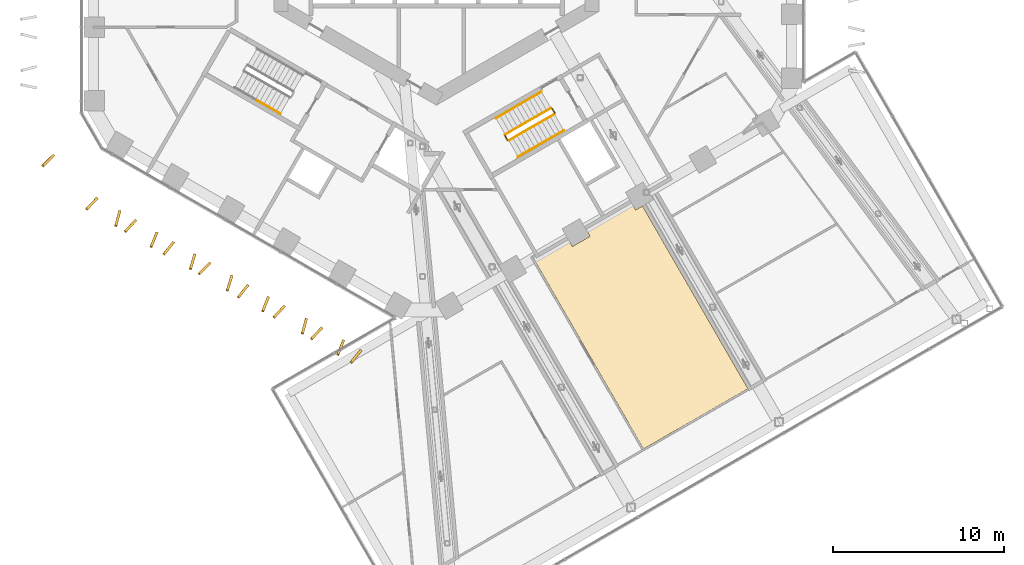
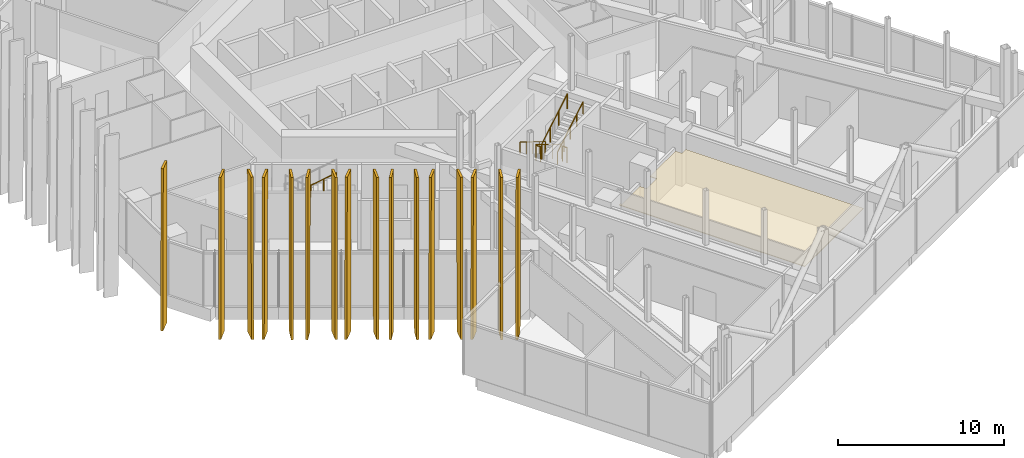
# One storey, part 26 of 29: 16 shading devices, 9 railings, 1 covering.
"""IFC4 building model written with IfcOpenShell, lengths in metres."""

import ifcopenshell
import ifcopenshell.guid

model = None  # the IFC model being written
_history = None  # IfcOwnerHistory: only IFC2X3 demands one
_inside = {}  # id of a spatial element -> (the spatial element, [elements in it])
_under = {}  # id of a project, library or spatial element -> (it, [spatial elements below it])
_declared = {}  # id of a project -> (the project, [libraries it declares])
_typed = {}  # id of a type object -> (the type object, [elements of that type])
_made_of = {}  # id of a material, layer set ... -> (it, [elements and type objects made of it])


def new_model(schema):
    """Start an empty IFC model of exactly this schema.

    Asked for "IFC4X3", IfcOpenShell would pick the latest addendum, in which some entities
    have other attributes; the version numbers below select the first issue.
    IFC2X3 requires an IfcOwnerHistory on every rooted entity: one is made here for all.
    """
    global model, _history
    if schema == "IFC4X3":
        model = ifcopenshell.file(schema_version=(4, 3, 0, 0))
    else:
        model = ifcopenshell.file(schema=schema)
    _inside.clear()
    _under.clear()
    _declared.clear()
    _typed.clear()
    _made_of.clear()
    _history = None
    if model.schema == "IFC2X3":
        org = make("IfcOrganization", Name="unknown")
        user = make(
            "IfcPersonAndOrganization",
            ThePerson=make("IfcPerson", FamilyName="unknown"),
            TheOrganization=org,
        )
        app = make(
            "IfcApplication",
            ApplicationDeveloper=org,
            Version="unknown",
            ApplicationFullName="unknown",
            ApplicationIdentifier="unknown",
        )
        _history = make(
            "IfcOwnerHistory",
            OwningUser=user,
            OwningApplication=app,
            ChangeAction="ADDED",
            CreationDate=0,
        )
    return model


def make(cls, **values):
    """One entity of the class cls with the attributes given. An attribute that is None is left unset."""
    return model.create_entity(
        cls, **{name: value for name, value in values.items() if value is not None}
    )


def rooted(cls, **values):
    """An entity with a GlobalId (a new one), such as an element, a storey or a relation."""
    return make(cls, GlobalId=ifcopenshell.guid.new(), OwnerHistory=_history, **values)


def si_unit(unit_type, name, prefix=None):
    """IfcSIUnit, for example si_unit("LENGTHUNIT", "METRE", prefix="MILLI")."""
    return make("IfcSIUnit", UnitType=unit_type, Prefix=prefix, Name=name)


def assignment(units):
    """IfcUnitAssignment: the units of a project."""
    return None if units is None else make("IfcUnitAssignment", Units=units)


def point(xyz):
    """IfcCartesianPoint."""
    return None if xyz is None else make("IfcCartesianPoint", Coordinates=xyz)


def direction(xyz):
    """IfcDirection."""
    return None if xyz is None else make("IfcDirection", DirectionRatios=xyz)


def frame(location, z_axis=None, x_axis=None):
    """IfcAxis2Placement3D, a coordinate frame: its origin and axes. An axis left out is left unset."""
    return make(
        "IfcAxis2Placement3D",
        Location=point(location),
        Axis=direction(z_axis),
        RefDirection=direction(x_axis),
    )


def frame_2d(location, x_axis=None):
    """IfcAxis2Placement2D, a coordinate frame in the plane: its origin and x axis."""
    return make(
        "IfcAxis2Placement2D", Location=point(location), RefDirection=direction(x_axis)
    )


def origin():
    """The frame at (0, 0, 0) with its axes left unset."""
    return frame((0.0, 0.0, 0.0))


def origin_2d():
    """The frame at (0, 0) in the plane with its x axis left unset."""
    return frame_2d((0.0, 0.0))


def place(relative_to, where):
    """IfcLocalPlacement: puts the frame where relative to a parent placement (None: the world)."""
    return make(
        "IfcLocalPlacement", PlacementRelTo=relative_to, RelativePlacement=where
    )


def context(
    kind, dimensions, precision=None, world=None, true_north=None, identifier=None
):
    """IfcGeometricRepresentationContext, for example the 3D "Model" context."""
    return make(
        "IfcGeometricRepresentationContext",
        ContextIdentifier=identifier,
        ContextType=kind,
        CoordinateSpaceDimension=dimensions,
        Precision=precision,
        WorldCoordinateSystem=world,
        TrueNorth=true_north,
    )


def subcontext(parent, identifier, kind, view, scale=None):
    """IfcGeometricRepresentationSubContext, for example "Body" below "Model"."""
    return make(
        "IfcGeometricRepresentationSubContext",
        ContextIdentifier=identifier,
        ContextType=kind,
        ParentContext=parent,
        TargetScale=scale,
        TargetView=view,
    )


def project(units=None, contexts=None):
    """IfcProject with its units and contexts."""
    return rooted(
        "IfcProject",
        Name="project",
        RepresentationContexts=contexts,
        UnitsInContext=assignment(units),
    )


def spatial(cls, under=None, at=None, **own):
    """A site, building, storey or space (cls), placed at a placement, below another one or the project."""
    s = rooted(cls, ObjectPlacement=at, **own)
    if under is not None:
        _under.setdefault(under.id(), (under, []))[1].append(s)
    return s


def polyline(points):
    """IfcPolyline through the points."""
    return make("IfcPolyline", Points=[point(p) for p in points])


def profile(cls, at=None, kind="AREA", **sizes):
    """A parametric profile (cls). Its sizes go by their IFC names, for example OverallWidth=200.0."""
    return make(cls, ProfileType=kind, Position=at, **sizes)


def circle(**sizes):
    """IfcCircleProfileDef."""
    return profile("IfcCircleProfileDef", **sizes)


def outline(outer, holes=None, kind="AREA"):
    """IfcArbitraryClosedProfileDef: a profile drawn as a closed curve; with holes, ...WithVoids."""
    if holes is None:
        return make("IfcArbitraryClosedProfileDef", ProfileType=kind, OuterCurve=outer)
    return make(
        "IfcArbitraryProfileDefWithVoids",
        ProfileType=kind,
        OuterCurve=outer,
        InnerCurves=holes,
    )


def extrude(swept, where, along, depth):
    """IfcExtrudedAreaSolid: the profile swept, set in the frame where, extruded along a direction by depth."""
    return make(
        "IfcExtrudedAreaSolid",
        SweptArea=swept,
        Position=where,
        ExtrudedDirection=direction(along),
        Depth=depth,
    )


def shape(context_of_items, identifier, shape_type, items):
    """IfcShapeRepresentation: the items that make up one representation, for example the "Body"."""
    return make(
        "IfcShapeRepresentation",
        ContextOfItems=context_of_items,
        RepresentationIdentifier=identifier,
        RepresentationType=shape_type,
        Items=items,
    )


def material(Name=None, Category=None):
    """IfcMaterial."""
    return make("IfcMaterial", Name=Name, Category=Category)


def layer(
    of_material, thickness, ventilated=None, Name=None, Category=None, Priority=None
):
    """IfcMaterialLayer: one layer of a wall or slab, of a material (None: an air gap)."""
    return make(
        "IfcMaterialLayer",
        Material=of_material,
        LayerThickness=thickness,
        IsVentilated=ventilated,
        Name=Name,
        Category=Category,
        Priority=Priority,
    )


def layer_set(layers, Name=None):
    """IfcMaterialLayerSet."""
    return make("IfcMaterialLayerSet", MaterialLayers=layers, LayerSetName=Name)


def made_of(thing, what):
    """Note that an element or type object is made of a material, layer set ...; save() writes the relation."""
    if what is not None:
        _made_of.setdefault(what.id(), (what, []))[1].append(thing)
    return thing


def type_object(cls, material=None, **own):
    """A type object (cls), such as IfcWallType, which elements share."""
    return made_of(rooted(cls, **own), material)


def element(
    cls,
    number,
    at=None,
    inside=None,
    cuts=None,
    type_object=None,
    material=None,
    context=None,
    identifier="Body",
    shape_type=None,
    held_by="IfcProductDefinitionShape",
    body=None,
    shapes=None,
    **own,
):
    """One element of the class cls, such as IfcWall. Its Tag is "e" and its number.

    at: its placement. inside: the storey or other place that contains it. cuts: it is an
    opening in that element (IfcRelVoidsElement). A single representation is given by context,
    identifier, shape_type and body (its items); several are given by shapes. held_by: the class
    of the entity that holds the representations. save() writes the other relations.
    """
    e = rooted(cls, Tag="e%d" % number, ObjectPlacement=at, **own)
    if body is not None:
        shapes = [shape(context, identifier, shape_type, body)]
    if shapes is not None:
        e.Representation = make(held_by, Representations=shapes)
    if inside is not None:
        _inside.setdefault(inside.id(), (inside, []))[1].append(e)
    if cuts is not None:
        rooted(
            "IfcRelVoidsElement", RelatingBuildingElement=cuts, RelatedOpeningElement=e
        )
    if type_object is not None:
        _typed.setdefault(type_object.id(), (type_object, []))[1].append(e)
    return made_of(e, material)


def aggregate(whole, parts):
    """IfcRelAggregates: a whole, such as a stair, and the parts it consists of."""
    return rooted("IfcRelAggregates", RelatingObject=whole, RelatedObjects=parts)


def save(model, path):
    """Write the relations noted so far, then the file.

    IfcRelAggregates (storeys below a building ...), IfcRelContainedInSpatialStructure (elements
    in a storey), IfcRelDefinesByType, IfcRelAssociatesMaterial and IfcRelDeclares: one each for
    every whole, place, type object, material and project.
    """
    for whole, parts in _under.values():
        aggregate(whole, parts)
    for where, things in _inside.values():
        rooted(
            "IfcRelContainedInSpatialStructure",
            RelatedElements=things,
            RelatingStructure=where,
        )
    for kind, things in _typed.values():
        rooted("IfcRelDefinesByType", RelatedObjects=things, RelatingType=kind)
    for what, things in _made_of.values():
        rooted("IfcRelAssociatesMaterial", RelatedObjects=things, RelatingMaterial=what)
    for by, libraries in _declared.values():
        rooted("IfcRelDeclares", RelatingContext=by, RelatedDefinitions=libraries)
    model.write(path)


model = new_model("IFC4")

# Units and contexts
model_context = context("Model", 3, precision=1e-05, world=origin(), true_north=direction((0.0, 1.0)))
body_context = subcontext(model_context, "Body", "Model", "MODEL_VIEW")
ifc_project = project(units=[si_unit("LENGTHUNIT", "METRE"), si_unit("AREAUNIT", "SQUARE_METRE"), si_unit("VOLUMEUNIT", "CUBIC_METRE"), si_unit("PLANEANGLEUNIT", "RADIAN"), si_unit("MASSUNIT", "GRAM", prefix="KILO")], contexts=[model_context])

# Site, building, storey
site_placement = place(None, origin())
site = spatial("IfcSite", under=ifc_project, at=site_placement, CompositionType="ELEMENT")
building_placement = place(site_placement, origin())
building = spatial("IfcBuilding", under=site, at=building_placement, Name="Ayvan Gate Tower", CompositionType="ELEMENT")
storey_placement = place(building_placement, frame((0.0, 0.0, 66.300048828125)))
storey = spatial("IfcBuildingStorey", under=building, at=storey_placement, Name="L17", CompositionType="ELEMENT", Elevation=66.300048828125)

# Shading devices
ifc_material_1 = material(Name="Bronze anodised aluminium", Category="aluminium")
ifc_layer_1 = layer(ifc_material_1, 0.14990234375)
ifc_layer_set_1 = layer_set([ifc_layer_1], Name="Bronze anodised aluminium")
shading_device_type = type_object("IfcShadingDeviceType", Name="Bronze fin 900 x 150", PredefinedType="USERDEFINED", material=ifc_layer_set_1)
shading_device_1_placement = place(storey_placement, frame((-22.479736328125, -13.865478515625, 0.0), z_axis=(-0.706224631537, 0.707987819594, 0.000130830126), x_axis=(-0.707987825654, -0.70622463758, -1.2564e-08)))
element("IfcShadingDevice", 1, at=shading_device_1_placement, inside=storey, type_object=shading_device_type, Name="Bronze fin FG05.13.115", ObjectType="FIN", PredefinedType="USERDEFINED", context=body_context, shape_type="SweptSolid", body=[
    extrude(outline(polyline([(0.0, 0.0), (0.8999391983835461, -1.3552527156068805e-20), (0.8312288205779301, 11.879882924614758), (-0.06888279593002522, 11.87988290199879), (0.0, 0.0)])), origin(), (0.0, 0.0, -1.0), 0.14990234375),
])
shading_device_2_placement = place(storey_placement, frame((-19.9365234375, -16.3779296875, 0.0), z_axis=(-0.72715604465, 0.686472192842, 0.000123222073), x_axis=(-0.686472198054, -0.72715605017, 0.0)))
element("IfcShadingDevice", 2, at=shading_device_2_placement, inside=storey, type_object=shading_device_type, Name="Bronze fin FG05.14.116", ObjectType="FIN", PredefinedType="USERDEFINED", context=body_context, shape_type="SweptSolid", body=[
    extrude(outline(polyline([(0.0, 0.0), (0.9001383065870558, -6.776263578034403e-21), (0.8312711529496368, 11.879882902690168), (-0.06886715363741905, 11.879882902690168), (0.0, 0.0)])), origin(), (0.0, 0.0, -1.0), 0.14990234375),
])
shading_device_3_placement = place(storey_placement, frame((-18.6171875, -17.17822265625, 0.0), z_axis=(-0.965851109905, 0.259097699427, 0.00012508757), x_axis=(-0.259097701454, -0.965851117461, 0.0)))
element("IfcShadingDevice", 3, at=shading_device_3_placement, inside=storey, type_object=shading_device_type, Name="Bronze fin FG05.14.117", ObjectType="FIN", PredefinedType="USERDEFINED", context=body_context, shape_type="SweptSolid", body=[
    extrude(outline(polyline([(0.0, 0.0), (0.8998701862917041, 0.0), (0.8309701933115091, 11.879882905441672), (-0.06889999298019503, 11.879882905441672), (0.0, 0.0)])), origin(), (0.0, 0.0, -1.0), 0.14990234375),
])
shading_device_4_placement = place(storey_placement, frame((-17.6845703125, -17.680419921875, 0.0), z_axis=(-0.734231245897, 0.678899449014, 0.000125210359), x_axis=(-0.678899454335, -0.734231251652, 0.0)))
element("IfcShadingDevice", 4, at=shading_device_4_placement, inside=storey, type_object=shading_device_type, Name="Bronze fin FG05.14.118", ObjectType="FIN", PredefinedType="USERDEFINED", context=body_context, shape_type="SweptSolid", body=[
    extrude(outline(polyline([(0.0, 0.0), (0.900109700298984, 0.0), (0.8312343982640273, 11.879882905624228), (-0.06887530203495658, 11.879882905624228), (0.0, 0.0)])), origin(), (0.0, 0.0, -1.0), 0.14990234375),
])
shading_device_5_placement = place(storey_placement, frame((-16.445068359375, -18.435791015625, 0.0), z_axis=(-0.924840942745, 0.380354063282, 0.000131025035), x_axis=(-0.380354066547, -0.924840950684, 0.0)))
element("IfcShadingDevice", 5, at=shading_device_5_placement, inside=storey, type_object=shading_device_type, Name="Bronze fin FG05.14.119", ObjectType="FIN", PredefinedType="USERDEFINED", context=body_context, shape_type="SweptSolid", body=[
    extrude(outline(polyline([(0.0, 0.0), (0.8999119145944693, 0.0), (0.8311646062946272, 11.879882914474301), (-0.0687473082998421, 11.879882914474301), (0.0, 0.0)])), origin(), (0.0, 0.0, -1.0), 0.14990234375),
])
shading_device_6_placement = place(storey_placement, frame((-15.470703125, -18.971923828125, 0.0), z_axis=(-0.779331507667, 0.626611828302, 0.000133378123), x_axis=(-0.626611833875, -0.779331514599, 0.0)))
element("IfcShadingDevice", 6, at=shading_device_6_placement, inside=storey, type_object=shading_device_type, Name="Bronze fin FG05.14.120", ObjectType="FIN", PredefinedType="USERDEFINED", context=body_context, shape_type="SweptSolid", body=[
    extrude(outline(polyline([(0.0, 0.0), (0.9000226508045297, 6.776263578034403e-21), (0.8310824747989813, 11.879882918169919), (-0.06894017600554822, 11.879882918169919), (0.0, 0.0)])), origin(), (0.0, 0.0, -1.0), 0.14990234375),
])
shading_device_7_placement = place(storey_placement, frame((-14.228271484375, -19.713623046875, 0.0), z_axis=(-0.958376989923, 0.2855057407, 0.000131197516), x_axis=(-0.285505743155, -0.958376998172, 1.7055e-08)))
element("IfcShadingDevice", 7, at=shading_device_7_placement, inside=storey, type_object=shading_device_type, Name="Bronze fin FG05.14.121", ObjectType="FIN", PredefinedType="USERDEFINED", context=body_context, shape_type="SweptSolid", body=[
    extrude(outline(polyline([(0.0, 0.0), (0.8999750918802142, 0.0), (0.8312744816398324, 11.879882900565903), (-0.06877031379095684, 11.879882931264524), (0.0, 0.0)])), origin(), (0.0, 0.0, -1.0), 0.14990234375),
])
shading_device_8_placement = place(storey_placement, frame((-13.33349609375, -20.183837890625, 0.0), z_axis=(-0.707242404988, 0.706971119064, 0.000131896473), x_axis=(-0.706971125213, -0.70724241114, 0.0)))
element("IfcShadingDevice", 8, at=shading_device_8_placement, inside=storey, type_object=shading_device_type, Name="Bronze fin FG05.14.122", ObjectType="FIN", PredefinedType="USERDEFINED", context=body_context, shape_type="SweptSolid", body=[
    extrude(outline(polyline([(0.0, 0.0), (0.8999384077507213, -6.776263578034403e-21), (0.831057943952932, 11.87988291583526), (-0.06888046379778931, 11.87988291583526), (0.0, 0.0)])), origin(), (0.0, 0.0, -1.0), 0.14990234375),
])
shading_device_9_placement = place(storey_placement, frame((-12.059814453125, -20.966064453125, 0.0), z_axis=(-0.956068902119, 0.293142011561, 0.000124332896), x_axis=(-0.293142013828, -0.956068909508, -1.6124e-08)))
element("IfcShadingDevice", 9, at=shading_device_9_placement, inside=storey, type_object=shading_device_type, Name="Bronze fin FG05.14.123", ObjectType="FIN", PredefinedType="USERDEFINED", context=body_context, shape_type="SweptSolid", body=[
    extrude(outline(polyline([(0.0, 0.0), (0.899920252455125, -6.776263578034403e-21), (0.8309952300947359, 11.87988291772282), (-0.06885345448591923, 11.87988288870278), (0.0, 0.0)])), origin(), (0.0, 0.0, -1.0), 0.14990234375),
])
shading_device_10_placement = place(storey_placement, frame((-11.122314453125, -21.484619140625, 0.0), z_axis=(-0.787493544994, 0.61632288468, 0.00013569576), x_axis=(-0.616322890354, -0.787493552244, 0.0)))
element("IfcShadingDevice", 10, at=shading_device_10_placement, inside=storey, type_object=shading_device_type, Name="Bronze fin FG05.14.124", ObjectType="FIN", PredefinedType="USERDEFINED", context=body_context, shape_type="SweptSolid", body=[
    extrude(outline(polyline([(0.0, 0.0), (0.8999949680293663, 6.776263578034403e-21), (0.8311484368373414, 11.87988292187416), (-0.0688465311920248, 11.87988292187416), (0.0, 0.0)])), origin(), (0.0, 0.0, -1.0), 0.14990234375),
])
shading_device_11_placement = place(storey_placement, frame((-9.92333984375, -22.201171875, 0.0), z_axis=(-0.929715671991, 0.368278093005, 0.000124364199), x_axis=(-0.368278095851, -0.929715679182, 1.5685e-08)))
element("IfcShadingDevice", 11, at=shading_device_11_placement, inside=storey, type_object=shading_device_type, Name="Bronze fin FG05.14.125", ObjectType="FIN", PredefinedType="USERDEFINED", context=body_context, shape_type="SweptSolid", body=[
    extrude(outline(polyline([(0.0, 0.0), (0.8998752462464905, 0.0), (0.8310599079108768, 11.879882891334992), (-0.06890524998010854, 11.879882919564759), (0.0, 0.0)])), origin(), (0.0, 0.0, -1.0), 0.14990234375),
])
shading_device_12_placement = place(storey_placement, frame((-8.979736328125, -22.70458984375, 0.0), z_axis=(-0.729329898904, 0.684162174088, 0.000134579571), x_axis=(-0.684162180283, -0.72932990551, 1.2488e-08)))
element("IfcShadingDevice", 12, at=shading_device_12_placement, inside=storey, type_object=shading_device_type, Name="Bronze fin FG05.14.126", ObjectType="FIN", PredefinedType="USERDEFINED", context=body_context, shape_type="SweptSolid", body=[
    extrude(outline(polyline([(0.0, 0.0), (0.9000549644991738, 6.776263578034403e-21), (0.8310148900455652, 11.879882909704818), (-0.06886201539464638, 11.87988293218166), (0.0, 0.0)])), origin(), (0.0, 0.0, -1.0), 0.14990234375),
])
shading_device_13_placement = place(storey_placement, frame((-7.699462890625, -23.4814453125, 0.0), z_axis=(-0.965937147481, 0.258776758971, 0.000127014652), x_axis=(-0.258776761059, -0.965937155273, 0.0)))
element("IfcShadingDevice", 13, at=shading_device_13_placement, inside=storey, type_object=shading_device_type, Name="Bronze fin FG05.14.127", ObjectType="FIN", PredefinedType="USERDEFINED", context=body_context, shape_type="SweptSolid", body=[
    extrude(outline(polyline([(0.0, 0.0), (0.9000427831971298, -3.3881317890172014e-21), (0.8311432877863656, 11.879882908327426), (-0.0688994954107642, 11.879882908327426), (0.0, 0.0)])), origin(), (0.0, 0.0, -1.0), 0.14990234375),
])
shading_device_14_placement = place(storey_placement, frame((-6.788330078125, -23.969970703125, 0.0), z_axis=(-0.7295921844, 0.683882467698, 0.000121811407), x_axis=(-0.683882472772, -0.729592189812, -1.13e-08)))
element("IfcShadingDevice", 14, at=shading_device_14_placement, inside=storey, type_object=shading_device_type, Name="Bronze fin FG05.14.128", ObjectType="FIN", PredefinedType="USERDEFINED", context=body_context, shape_type="SweptSolid", body=[
    extrude(outline(polyline([(0.0, 0.0), (0.8998879668612692, 1.3552527156068805e-20), (0.8311932824954654, 11.879882910029721), (-0.06887280745901961, 11.87988288968965), (0.0, 0.0)])), origin(), (0.0, 0.0, -1.0), 0.14990234375),
])
shading_device_15_placement = place(storey_placement, frame((-5.523681640625, -24.7412109375, 0.0), z_axis=(-0.928205150058, 0.372068789509, 0.000123609088), x_axis=(-0.372068792352, -0.928205157149, -9.323e-09)))
element("IfcShadingDevice", 15, at=shading_device_15_placement, inside=storey, type_object=shading_device_type, Name="Bronze fin FG05.14.129", ObjectType="FIN", PredefinedType="USERDEFINED", context=body_context, shape_type="SweptSolid", body=[
    extrude(outline(polyline([(0.0, 0.0), (0.9000967848804478, 0.0), (0.8310944825211537, 11.879882911005833), (-0.06868485266459172, 11.87988289422571), (0.0, 0.0)])), origin(), (0.0, 0.0, -1.0), 0.14990234375),
])
shading_device_16_placement = place(storey_placement, frame((-4.51318359375, -25.299072265625, 0.0), z_axis=(-0.782586030863, 0.622542440496, 0.000118655486), x_axis=(-0.622542444878, -0.782586036372, 0.0)))
element("IfcShadingDevice", 16, at=shading_device_16_placement, inside=storey, type_object=shading_device_type, Name="Bronze fin FG05.14.130", ObjectType="FIN", PredefinedType="USERDEFINED", context=body_context, shape_type="SweptSolid", body=[
    extrude(outline(polyline([(0.0, 0.0), (0.9000233461742826, 0.0), (0.8312052773337333, 11.879882896129176), (-0.06881806884054928, 11.879882896129176), (0.0, 0.0)])), origin(), (0.0, 0.0, -1.0), 0.14990234375),
])

# Covering
ifc_material_2 = material(Name="Plasterboard suspended ceiling")
ifc_layer_2 = layer(ifc_material_2, 0.050048828125)
ifc_layer_set_2 = layer_set([ifc_layer_2], Name="Plasterboard suspended ceiling")
covering_type = type_object("IfcCoveringType", Name="CT-SUSP-50", PredefinedType="CEILING", material=ifc_layer_set_2)
covering_placement = place(storey_placement, frame((0.0, 0.0, 2.39990234375)))
element("IfcCovering", 17, at=covering_placement, inside=storey, type_object=covering_type, Name="Ceiling Social Lounge 1 L17", PredefinedType="CEILING", context=body_context, shape_type="SweptSolid", body=[
    extrude(outline(polyline([(5.78369140625, -19.81787109375), (5.8427734375, -19.919921875), (5.99853515625, -19.829833984375), (7.71337890625, -18.839599609375), (7.946044921875, -19.24267578125), (8.985107421875, -18.642578125), (8.752685546875, -18.23974609375), (11.419677734375, -16.699951171875), (11.65234375, -17.102783203125), (12.05078125, -16.87255859375), (18.21826171875, -27.554931640625), (12.11279296875, -31.080078125), (5.65380859375, -19.892822265625), (5.78369140625, -19.81787109375)])), origin(), (0.0, 0.0, 1.0), 0.050048828125),
])

# Railings
ifc_material_3 = material(Name="Stainless steel balustrade", Category="steel")
railing_type_1 = type_object("IfcRailingType", Name="RL-GUARD-1100", PredefinedType="GUARDRAIL", material=ifc_material_3)
railing_1_placement = place(storey_placement, frame((6.6923828125, -11.1416015625, 0.16650390625)))
element("IfcRailing", 18, at=railing_1_placement, inside=storey, type_object=railing_type_1, Name="L17 STS3 stair guard 1", PredefinedType="GUARDRAIL", context=body_context, shape_type="SweptSolid", body=[
    extrude(circle(Radius=0.02392578125, at=origin_2d()), frame((0.0, 0.0, 1.076171875), z_axis=(-0.74418568968, -0.429578907634, 0.511516980551), x_axis=(0.499932877268, -0.866064153644, 0.0)), (0.0, 0.0, 1.0), 3.58447265625),
    extrude(circle(Radius=0.02099609375, at=origin_2d()), origin(), (0.0, 0.0, 1.0), 1.052001953125),
    extrude(circle(Radius=0.02099609375, at=origin_2d()), frame((-0.88916015625, -0.51318359375, 0.611083984375)), (0.0, 0.0, 1.0), 1.052001953125),
    extrude(circle(Radius=0.02099609375, at=origin_2d()), frame((-1.7783203125, -1.026611328125, 1.222412109375)), (0.0, 0.0, 1.0), 1.052001953125),
    extrude(circle(Radius=0.02099609375, at=origin_2d()), frame((-2.66748046875, -1.539794921875, 1.83349609375)), (0.0, 0.0, 1.0), 1.052001953125),
])
railing_2_placement = place(storey_placement, frame((4.006591796875, -12.749755859375, 2.0)))
element("IfcRailing", 19, at=railing_2_placement, inside=storey, type_object=railing_type_1, Name="L17 STS3 stair guard 2", PredefinedType="GUARDRAIL", context=body_context, shape_type="SweptSolid", body=[
    extrude(circle(Radius=0.02392578125, at=origin_2d()), frame((0.0, 0.0, 1.076171875), z_axis=(0.499949632511, -0.866054481515, 0.0), x_axis=(0.866054481515, 0.499949632511, 0.0)), (0.0, 0.0, 1.0), 0.31005859375),
    extrude(circle(Radius=0.02099609375, at=origin_2d()), origin(), (0.0, 0.0, 1.0), 1.052001953125),
    extrude(circle(Radius=0.02099609375, at=origin_2d()), frame((0.155029296875, -0.2685546875, 0.0)), (0.0, 0.0, 1.0), 1.052001953125),
])
railing_3_placement = place(storey_placement, frame((4.22998046875, -13.03662109375, 2.16650390625)))
element("IfcRailing", 20, at=railing_3_placement, inside=storey, type_object=railing_type_1, Name="L17 STS3 stair guard 3", PredefinedType="GUARDRAIL", context=body_context, shape_type="SweptSolid", body=[
    extrude(circle(Radius=0.02392578125, at=origin_2d()), frame((0.0, 0.0, 1.076171875), z_axis=(0.7441639146, 0.429634447492, 0.511502013422), x_axis=(-0.499992328818, 0.866029832698, 0.0)), (0.0, 0.0, 1.0), 3.58447265625),
    extrude(circle(Radius=0.02099609375, at=origin_2d()), origin(), (0.0, 0.0, 1.0), 1.052001953125),
    extrude(circle(Radius=0.02099609375, at=origin_2d()), frame((0.88916015625, 0.513427734375, 0.611083984375)), (0.0, 0.0, 1.0), 1.052001953125),
    extrude(circle(Radius=0.02099609375, at=origin_2d()), frame((1.7783203125, 1.026611328125, 1.222412109375)), (0.0, 0.0, 1.0), 1.052001953125),
    extrude(circle(Radius=0.02099609375, at=origin_2d()), frame((2.66748046875, 1.5400390625, 1.83349609375)), (0.0, 0.0, 1.0), 1.052001953125),
])
railing_4_placement = place(storey_placement, frame((6.7607421875, -11.159912109375, 0.0)))
element("IfcRailing", 21, at=railing_4_placement, inside=storey, type_object=railing_type_1, Name="L17 STS3 stair guard 4", PredefinedType="GUARDRAIL", context=body_context, shape_type="SweptSolid", body=[
    extrude(circle(Radius=0.02392578125, at=origin_2d()), frame((0.0, 0.0, 1.076171875), z_axis=(0.500290723946, -0.86585748916, 0.0), x_axis=(0.86585748916, 0.500290723946, 0.0)), (0.0, 0.0, 1.0), 0.309814453125),
    extrude(circle(Radius=0.02099609375, at=origin_2d()), origin(), (0.0, 0.0, 1.0), 1.052001953125),
    extrude(circle(Radius=0.02099609375, at=origin_2d()), frame((0.155029296875, -0.268310546875, 0.0)), (0.0, 0.0, 1.0), 1.052001953125),
])
railing_type_2 = type_object("IfcRailingType", Name="RL-HANDRAIL-900", PredefinedType="HANDRAIL", material=ifc_material_3)
railing_5_placement = place(storey_placement, frame((-10.4697265625, -10.7041015625, 3.083251953125)))
element("IfcRailing", 22, at=railing_5_placement, inside=storey, type_object=railing_type_2, Name="L17 STS2 stair handrail 4", PredefinedType="HANDRAIL", context=body_context, shape_type="SweptSolid", body=[
    extrude(circle(Radius=0.02392578125, at=origin_2d()), frame((0.0, 0.0, 0.8759765625), z_axis=(0.7441639146, -0.429634447492, 0.511502013422), x_axis=(0.499992328818, 0.866029832698, 0.0)), (0.0, 0.0, 1.0), 1.792236328125),
    extrude(circle(Radius=0.02099609375, at=origin_2d()), origin(), (0.0, 0.0, 1.0), 0.851806640625),
    extrude(circle(Radius=0.02099609375, at=origin_2d()), frame((0.6669921875, -0.385009765625, 0.45849609375)), (0.0, 0.0, 1.0), 0.851806640625),
    extrude(circle(Radius=0.02099609375, at=origin_2d()), frame((1.333740234375, -0.77001953125, 0.916748046875)), (0.0, 0.0, 1.0), 0.851806640625),
])
railing_6_placement = place(storey_placement, frame((6.142333984375, -10.18896484375, 0.16650390625)))
element("IfcRailing", 23, at=railing_6_placement, inside=storey, type_object=railing_type_2, Name="L17 STS3 stair handrail 1", PredefinedType="HANDRAIL", context=body_context, shape_type="SweptSolid", body=[
    extrude(circle(Radius=0.02392578125, at=origin_2d()), frame((0.0, 0.0, 0.8759765625), z_axis=(-0.7441639146, -0.429634447492, 0.511502013422), x_axis=(0.499992328818, -0.866029832698, 0.0)), (0.0, 0.0, 1.0), 1.792236328125),
    extrude(circle(Radius=0.02099609375, at=origin_2d()), origin(), (0.0, 0.0, 1.0), 0.851806640625),
    extrude(circle(Radius=0.02099609375, at=origin_2d()), frame((-0.6669921875, -0.385009765625, 0.45849609375)), (0.0, 0.0, 1.0), 0.851806640625),
    extrude(circle(Radius=0.02099609375, at=origin_2d()), frame((-1.333740234375, -0.77001953125, 0.916748046875)), (0.0, 0.0, 1.0), 0.851806640625),
])
railing_7_placement = place(storey_placement, frame((4.80859375, -10.958984375, 1.083251953125)))
element("IfcRailing", 24, at=railing_7_placement, inside=storey, type_object=railing_type_2, Name="L17 STS3 stair handrail 2", PredefinedType="HANDRAIL", context=body_context, shape_type="SweptSolid", body=[
    extrude(circle(Radius=0.02392578125, at=origin_2d()), frame((0.0, 0.0, 0.8759765625), z_axis=(-0.744146675635, -0.429566911072, 0.511583809412), x_axis=(0.499942064311, -0.866058850386, 0.0)), (0.0, 0.0, 1.0), 1.7919921875),
    extrude(circle(Radius=0.02099609375, at=origin_2d()), origin(), (0.0, 0.0, 1.0), 0.851806640625),
    extrude(circle(Radius=0.02099609375, at=origin_2d()), frame((-0.666748046875, -0.384765625, 0.45849609375)), (0.0, 0.0, 1.0), 0.851806640625),
    extrude(circle(Radius=0.02099609375, at=origin_2d()), frame((-1.33349609375, -0.769775390625, 0.916748046875)), (0.0, 0.0, 1.0), 0.851806640625),
])
railing_8_placement = place(storey_placement, frame((4.780029296875, -13.9892578125, 2.16650390625)))
element("IfcRailing", 25, at=railing_8_placement, inside=storey, type_object=railing_type_2, Name="L17 STS3 stair handrail 3", PredefinedType="HANDRAIL", context=body_context, shape_type="SweptSolid", body=[
    extrude(circle(Radius=0.02392578125, at=origin_2d()), frame((0.0, 0.0, 0.8759765625), z_axis=(0.7441639146, 0.429634447492, 0.511502013422), x_axis=(-0.499992328818, 0.866029832698, 0.0)), (0.0, 0.0, 1.0), 1.792236328125),
    extrude(circle(Radius=0.02099609375, at=origin_2d()), origin(), (0.0, 0.0, 1.0), 0.851806640625),
    extrude(circle(Radius=0.02099609375, at=origin_2d()), frame((0.6669921875, 0.385009765625, 0.45849609375)), (0.0, 0.0, 1.0), 0.851806640625),
    extrude(circle(Radius=0.02099609375, at=origin_2d()), frame((1.333740234375, 0.77001953125, 0.916748046875)), (0.0, 0.0, 1.0), 0.851806640625),
])
railing_9_placement = place(storey_placement, frame((6.11376953125, -13.21923828125, 3.083251953125)))
element("IfcRailing", 26, at=railing_9_placement, inside=storey, type_object=railing_type_2, Name="L17 STS3 stair handrail 4", PredefinedType="HANDRAIL", context=body_context, shape_type="SweptSolid", body=[
    extrude(circle(Radius=0.02392578125, at=origin_2d()), frame((0.0, 0.0, 0.8759765625), z_axis=(0.744103121745, 0.429678001828, 0.51155386711), x_axis=(-0.500060979923, 0.865990194147, 0.0)), (0.0, 0.0, 1.0), 1.7919921875),
    extrude(circle(Radius=0.02099609375, at=origin_2d()), origin(), (0.0, 0.0, 1.0), 0.851806640625),
    extrude(circle(Radius=0.02099609375, at=origin_2d()), frame((0.666748046875, 0.385009765625, 0.45849609375)), (0.0, 0.0, 1.0), 0.851806640625),
    extrude(circle(Radius=0.02099609375, at=origin_2d()), frame((1.33349609375, 0.77001953125, 0.916748046875)), (0.0, 0.0, 1.0), 0.851806640625),
])

save(model, "model.ifc")
